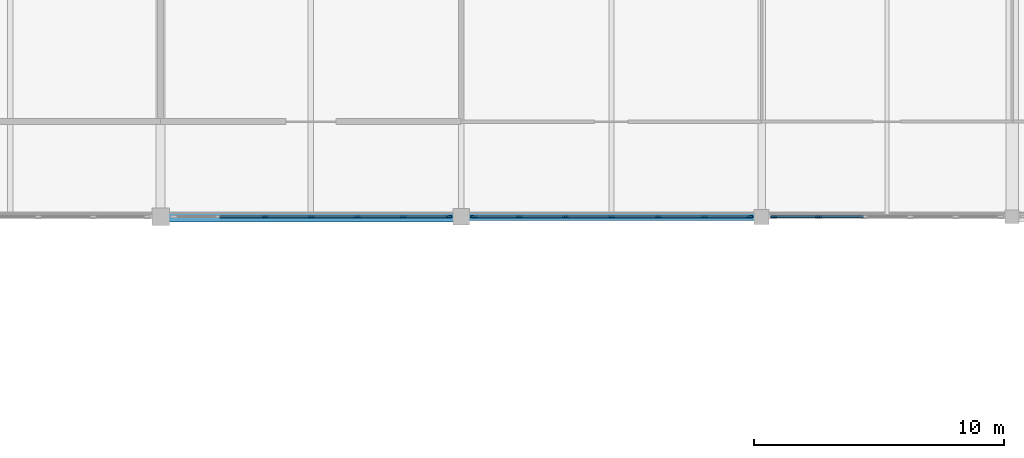
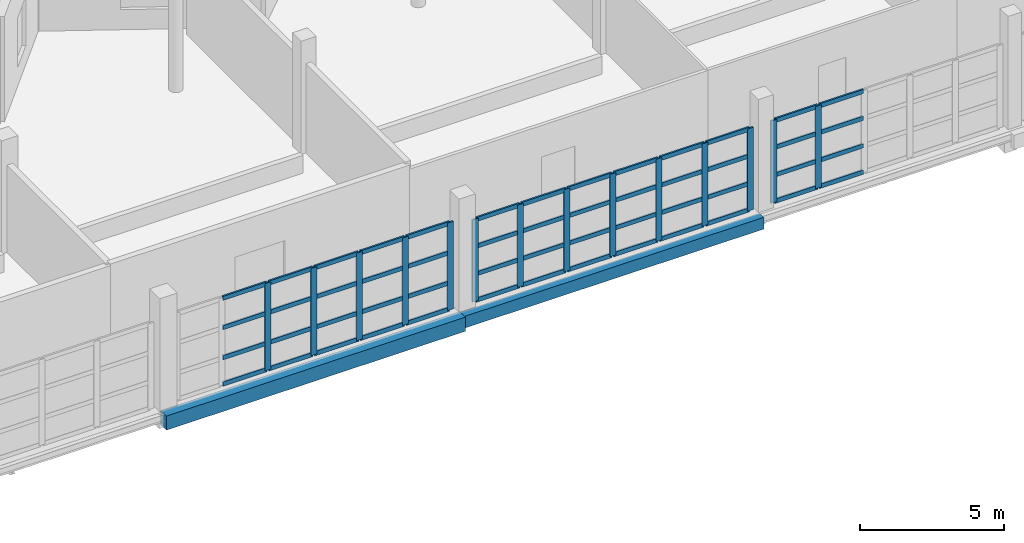
# One storey, part 23 of 53: 66 members, 2 beams, 3 elements without a shape of their own.
"""IFC4 building model written with IfcOpenShell, lengths in metres."""

import ifcopenshell
import ifcopenshell.guid

model = None  # the IFC model being written
_history = None  # IfcOwnerHistory: only IFC2X3 demands one
_inside = {}  # id of a spatial element -> (the spatial element, [elements in it])
_under = {}  # id of a project, library or spatial element -> (it, [spatial elements below it])
_declared = {}  # id of a project -> (the project, [libraries it declares])
_typed = {}  # id of a type object -> (the type object, [elements of that type])
_made_of = {}  # id of a material, layer set ... -> (it, [elements and type objects made of it])


def new_model(schema):
    """Start an empty IFC model of exactly this schema.

    Asked for "IFC4X3", IfcOpenShell would pick the latest addendum, in which some entities
    have other attributes; the version numbers below select the first issue.
    IFC2X3 requires an IfcOwnerHistory on every rooted entity: one is made here for all.
    """
    global model, _history
    if schema == "IFC4X3":
        model = ifcopenshell.file(schema_version=(4, 3, 0, 0))
    else:
        model = ifcopenshell.file(schema=schema)
    _inside.clear()
    _under.clear()
    _declared.clear()
    _typed.clear()
    _made_of.clear()
    _history = None
    if model.schema == "IFC2X3":
        org = make("IfcOrganization", Name="unknown")
        user = make(
            "IfcPersonAndOrganization",
            ThePerson=make("IfcPerson", FamilyName="unknown"),
            TheOrganization=org,
        )
        app = make(
            "IfcApplication",
            ApplicationDeveloper=org,
            Version="unknown",
            ApplicationFullName="unknown",
            ApplicationIdentifier="unknown",
        )
        _history = make(
            "IfcOwnerHistory",
            OwningUser=user,
            OwningApplication=app,
            ChangeAction="ADDED",
            CreationDate=0,
        )
    return model


def make(cls, **values):
    """One entity of the class cls with the attributes given. An attribute that is None is left unset."""
    return model.create_entity(
        cls, **{name: value for name, value in values.items() if value is not None}
    )


def rooted(cls, **values):
    """An entity with a GlobalId (a new one), such as an element, a storey or a relation."""
    return make(cls, GlobalId=ifcopenshell.guid.new(), OwnerHistory=_history, **values)


def si_unit(unit_type, name, prefix=None):
    """IfcSIUnit, for example si_unit("LENGTHUNIT", "METRE", prefix="MILLI")."""
    return make("IfcSIUnit", UnitType=unit_type, Prefix=prefix, Name=name)


def assignment(units):
    """IfcUnitAssignment: the units of a project."""
    return None if units is None else make("IfcUnitAssignment", Units=units)


def point(xyz):
    """IfcCartesianPoint."""
    return None if xyz is None else make("IfcCartesianPoint", Coordinates=xyz)


def direction(xyz):
    """IfcDirection."""
    return None if xyz is None else make("IfcDirection", DirectionRatios=xyz)


def frame(location, z_axis=None, x_axis=None):
    """IfcAxis2Placement3D, a coordinate frame: its origin and axes. An axis left out is left unset."""
    return make(
        "IfcAxis2Placement3D",
        Location=point(location),
        Axis=direction(z_axis),
        RefDirection=direction(x_axis),
    )


def frame_2d(location, x_axis=None):
    """IfcAxis2Placement2D, a coordinate frame in the plane: its origin and x axis."""
    return make(
        "IfcAxis2Placement2D", Location=point(location), RefDirection=direction(x_axis)
    )


def origin():
    """The frame at (0, 0, 0) with its axes left unset."""
    return frame((0.0, 0.0, 0.0))


def origin_2d():
    """The frame at (0, 0) in the plane with its x axis left unset."""
    return frame_2d((0.0, 0.0))


def place(relative_to, where):
    """IfcLocalPlacement: puts the frame where relative to a parent placement (None: the world)."""
    return make(
        "IfcLocalPlacement", PlacementRelTo=relative_to, RelativePlacement=where
    )


def context(
    kind, dimensions, precision=None, world=None, true_north=None, identifier=None
):
    """IfcGeometricRepresentationContext, for example the 3D "Model" context."""
    return make(
        "IfcGeometricRepresentationContext",
        ContextIdentifier=identifier,
        ContextType=kind,
        CoordinateSpaceDimension=dimensions,
        Precision=precision,
        WorldCoordinateSystem=world,
        TrueNorth=true_north,
    )


def subcontext(parent, identifier, kind, view, scale=None):
    """IfcGeometricRepresentationSubContext, for example "Body" below "Model"."""
    return make(
        "IfcGeometricRepresentationSubContext",
        ContextIdentifier=identifier,
        ContextType=kind,
        ParentContext=parent,
        TargetScale=scale,
        TargetView=view,
    )


def project(units=None, contexts=None):
    """IfcProject with its units and contexts."""
    return rooted(
        "IfcProject",
        Name="project",
        RepresentationContexts=contexts,
        UnitsInContext=assignment(units),
    )


def spatial(cls, under=None, at=None, **own):
    """A site, building, storey or space (cls), placed at a placement, below another one or the project."""
    s = rooted(cls, ObjectPlacement=at, **own)
    if under is not None:
        _under.setdefault(under.id(), (under, []))[1].append(s)
    return s


def profile(cls, at=None, kind="AREA", **sizes):
    """A parametric profile (cls). Its sizes go by their IFC names, for example OverallWidth=200.0."""
    return make(cls, ProfileType=kind, Position=at, **sizes)


def rectangle(**sizes):
    """IfcRectangleProfileDef."""
    return profile("IfcRectangleProfileDef", **sizes)


def hollow_rectangle(**sizes):
    """IfcRectangleHollowProfileDef."""
    return profile("IfcRectangleHollowProfileDef", **sizes)


def extrude(swept, where, along, depth):
    """IfcExtrudedAreaSolid: the profile swept, set in the frame where, extruded along a direction by depth."""
    return make(
        "IfcExtrudedAreaSolid",
        SweptArea=swept,
        Position=where,
        ExtrudedDirection=direction(along),
        Depth=depth,
    )


def shape(context_of_items, identifier, shape_type, items):
    """IfcShapeRepresentation: the items that make up one representation, for example the "Body"."""
    return make(
        "IfcShapeRepresentation",
        ContextOfItems=context_of_items,
        RepresentationIdentifier=identifier,
        RepresentationType=shape_type,
        Items=items,
    )


def material(Name=None, Category=None):
    """IfcMaterial."""
    return make("IfcMaterial", Name=Name, Category=Category)


def material_profile(
    of_material, cross_section, Name=None, Category=None, Priority=None
):
    """IfcMaterialProfile: a cross section and its material."""
    return make(
        "IfcMaterialProfile",
        Name=Name,
        Material=of_material,
        Profile=cross_section,
        Priority=Priority,
        Category=Category,
    )


def profile_set(profiles, Name=None, composite=None):
    """IfcMaterialProfileSet."""
    return make(
        "IfcMaterialProfileSet",
        Name=Name,
        MaterialProfiles=profiles,
        CompositeProfile=composite,
    )


def made_of(thing, what):
    """Note that an element or type object is made of a material, layer set ...; save() writes the relation."""
    if what is not None:
        _made_of.setdefault(what.id(), (what, []))[1].append(thing)
    return thing


def type_object(cls, material=None, **own):
    """A type object (cls), such as IfcWallType, which elements share."""
    return made_of(rooted(cls, **own), material)


def element(
    cls,
    number,
    at=None,
    inside=None,
    cuts=None,
    type_object=None,
    material=None,
    context=None,
    identifier="Body",
    shape_type=None,
    held_by="IfcProductDefinitionShape",
    body=None,
    shapes=None,
    **own,
):
    """One element of the class cls, such as IfcWall. Its Tag is "e" and its number.

    at: its placement. inside: the storey or other place that contains it. cuts: it is an
    opening in that element (IfcRelVoidsElement). A single representation is given by context,
    identifier, shape_type and body (its items); several are given by shapes. held_by: the class
    of the entity that holds the representations. save() writes the other relations.
    """
    e = rooted(cls, Tag="e%d" % number, ObjectPlacement=at, **own)
    if body is not None:
        shapes = [shape(context, identifier, shape_type, body)]
    if shapes is not None:
        e.Representation = make(held_by, Representations=shapes)
    if inside is not None:
        _inside.setdefault(inside.id(), (inside, []))[1].append(e)
    if cuts is not None:
        rooted(
            "IfcRelVoidsElement", RelatingBuildingElement=cuts, RelatedOpeningElement=e
        )
    if type_object is not None:
        _typed.setdefault(type_object.id(), (type_object, []))[1].append(e)
    return made_of(e, material)


def aggregate(whole, parts):
    """IfcRelAggregates: a whole, such as a stair, and the parts it consists of."""
    return rooted("IfcRelAggregates", RelatingObject=whole, RelatedObjects=parts)


def save(model, path):
    """Write the relations noted so far, then the file.

    IfcRelAggregates (storeys below a building ...), IfcRelContainedInSpatialStructure (elements
    in a storey), IfcRelDefinesByType, IfcRelAssociatesMaterial and IfcRelDeclares: one each for
    every whole, place, type object, material and project.
    """
    for whole, parts in _under.values():
        aggregate(whole, parts)
    for where, things in _inside.values():
        rooted(
            "IfcRelContainedInSpatialStructure",
            RelatedElements=things,
            RelatingStructure=where,
        )
    for kind, things in _typed.values():
        rooted("IfcRelDefinesByType", RelatedObjects=things, RelatingType=kind)
    for what, things in _made_of.values():
        rooted("IfcRelAssociatesMaterial", RelatedObjects=things, RelatingMaterial=what)
    for by, libraries in _declared.values():
        rooted("IfcRelDeclares", RelatingContext=by, RelatedDefinitions=libraries)
    model.write(path)


model = new_model("IFC4")

# Units and contexts
model_context = context("Model", 3, precision=1e-05, world=origin(), true_north=direction((0.0, 1.0)))
body_context = subcontext(model_context, "Body", "Model", "MODEL_VIEW")
ifc_project = project(units=[si_unit("LENGTHUNIT", "METRE"), si_unit("AREAUNIT", "SQUARE_METRE"), si_unit("VOLUMEUNIT", "CUBIC_METRE"), si_unit("PLANEANGLEUNIT", "RADIAN"), si_unit("MASSUNIT", "GRAM", prefix="KILO")], contexts=[model_context])

# Site, building, storey
site_placement = place(None, origin())
site = spatial("IfcSite", under=ifc_project, at=site_placement, CompositionType="ELEMENT")
building_placement = place(site_placement, origin())
building = spatial("IfcBuilding", under=site, at=building_placement, Name="Luwafu Chhajja Arena", CompositionType="ELEMENT")
storey_placement = place(building_placement, frame((0.0, 0.0, 19.5)))
storey = spatial("IfcBuildingStorey", under=building, at=storey_placement, Name="L04", CompositionType="ELEMENT", Elevation=19.5)

# Curtain wall, members
ifc_material_1 = material(Name="Anodised bronze aluminium", Category="aluminium")
curtain_wall_type = type_object("IfcCurtainWallType", Name="Media Ribbon Curtain Wall", PredefinedType="USERDEFINED", material=ifc_material_1)
curtain_wall_1_placement = place(storey_placement, origin())
curtain_wall_1 = element("IfcCurtainWall", 1, at=curtain_wall_1_placement, inside=storey, type_object=curtain_wall_type, Name="L04 Bowl Viewing Curtain Wall CWR-L04-09", ObjectType="CURTAIN WALL", PredefinedType="USERDEFINED")
ifc_material_profile_1 = material_profile(ifc_material_1, rectangle(XDim=0.070068359375, YDim=0.239990234375, at=origin_2d()), Name="CWM 70x240")
ifc_profile_set_1 = profile_set([ifc_material_profile_1], Name="Anodised bronze aluminium")
member_type_1 = type_object("IfcMemberType", Name="Bronze Curtain Wall Mullion 70x240", PredefinedType="MULLION", material=ifc_profile_set_1)
member_1_placement = place(storey_placement, frame((74.171630859375, 77.0, 0.0), z_axis=(0.0, 0.0, 1.0), x_axis=(0.0, 1.0, 0.0)))
member_1 = element("IfcMember", 2, at=member_1_placement, type_object=member_type_1, Name="CW-03 mullion 3", PredefinedType="MULLION", context=body_context, shape_type="SweptSolid", body=[
    extrude(rectangle(XDim=0.070068359375, YDim=0.239990234375, at=origin_2d()), origin(), (0.0, 0.0, 1.0), 3.70654296875),
])
member_2_placement = place(storey_placement, frame((76.012451171875, 77.0, 0.0), z_axis=(0.0, 0.0, 1.0), x_axis=(0.0, 1.0, 0.0)))
member_2 = element("IfcMember", 3, at=member_2_placement, type_object=member_type_1, Name="CW-03 mullion 4", PredefinedType="MULLION", context=body_context, shape_type="SweptSolid", body=[
    extrude(rectangle(XDim=0.070068359375, YDim=0.239990234375, at=origin_2d()), origin(), (0.0, 0.0, 1.0), 3.70654296875),
])
member_3_placement = place(storey_placement, frame((77.853271484375, 77.0, 0.0), z_axis=(0.0, 0.0, 1.0), x_axis=(0.0, 1.0, 0.0)))
member_3 = element("IfcMember", 4, at=member_3_placement, type_object=member_type_1, Name="CW-03 mullion 5", PredefinedType="MULLION", context=body_context, shape_type="SweptSolid", body=[
    extrude(rectangle(XDim=0.070068359375, YDim=0.239990234375, at=origin_2d()), origin(), (0.0, 0.0, 1.0), 3.70654296875),
])
member_4_placement = place(storey_placement, frame((79.694091796875, 77.0, 0.0), z_axis=(0.0, 0.0, 1.0), x_axis=(0.0, 1.0, 0.0)))
member_4 = element("IfcMember", 5, at=member_4_placement, type_object=member_type_1, Name="CW-03 mullion 6", PredefinedType="MULLION", context=body_context, shape_type="SweptSolid", body=[
    extrude(rectangle(XDim=0.070068359375, YDim=0.239990234375, at=origin_2d()), origin(), (0.0, 0.0, 1.0), 3.70654296875),
])
member_5_placement = place(storey_placement, frame((81.5, 77.0, 0.0), z_axis=(0.0, 0.0, 1.0), x_axis=(0.0, 1.0, 0.0)))
member_5 = element("IfcMember", 6, at=member_5_placement, type_object=member_type_1, Name="CW-03 mullion 7", PredefinedType="MULLION", context=body_context, shape_type="SweptSolid", body=[
    extrude(rectangle(XDim=0.070068359375, YDim=0.239990234375, at=origin_2d()), origin(), (0.0, 0.0, 1.0), 3.70654296875),
])

curtain_wall_2_placement = place(storey_placement, origin())
curtain_wall_2 = element("IfcCurtainWall", 7, at=curtain_wall_2_placement, inside=storey, type_object=curtain_wall_type, Name="L04 Bowl Viewing Curtain Wall CWR-L04-10", ObjectType="CURTAIN WALL", PredefinedType="USERDEFINED")
member_6_placement = place(storey_placement, frame((82.5, 77.0, 0.0), z_axis=(0.0, 0.0, 1.0), x_axis=(0.0, 1.0, 0.0)))
member_6 = element("IfcMember", 8, at=member_6_placement, type_object=member_type_1, Name="CW-03 mullion 1", PredefinedType="MULLION", context=body_context, shape_type="SweptSolid", body=[
    extrude(rectangle(XDim=0.070068359375, YDim=0.239990234375, at=origin_2d()), origin(), (0.0, 0.0, 1.0), 3.489990234375),
])
member_7_placement = place(storey_placement, frame((84.314208984375, 77.0, 0.0), z_axis=(0.0, 0.0, 1.0), x_axis=(0.0, 1.0, 0.0)))
member_7 = element("IfcMember", 9, at=member_7_placement, type_object=member_type_1, Name="CW-03 mullion 2", PredefinedType="MULLION", context=body_context, shape_type="SweptSolid", body=[
    extrude(rectangle(XDim=0.070068359375, YDim=0.239990234375, at=origin_2d()), origin(), (0.0, 0.0, 1.0), 3.489990234375),
])
member_8_placement = place(storey_placement, frame((86.163330078125, 77.0, 0.0), z_axis=(0.0, 0.0, 1.0), x_axis=(0.0, 1.0, 0.0)))
member_8 = element("IfcMember", 10, at=member_8_placement, type_object=member_type_1, Name="CW-03 mullion 3", PredefinedType="MULLION", context=body_context, shape_type="SweptSolid", body=[
    extrude(rectangle(XDim=0.070068359375, YDim=0.239990234375, at=origin_2d()), origin(), (0.0, 0.0, 1.0), 3.489990234375),
])
member_9_placement = place(storey_placement, frame((88.012451171875, 77.0, 0.0), z_axis=(0.0, 0.0, 1.0), x_axis=(0.0, 1.0, 0.0)))
member_9 = element("IfcMember", 11, at=member_9_placement, type_object=member_type_1, Name="CW-03 mullion 4", PredefinedType="MULLION", context=body_context, shape_type="SweptSolid", body=[
    extrude(rectangle(XDim=0.070068359375, YDim=0.239990234375, at=origin_2d()), origin(), (0.0, 0.0, 1.0), 3.489990234375),
])
member_10_placement = place(storey_placement, frame((89.861572265625, 77.0, 0.0), z_axis=(0.0, 0.0, 1.0), x_axis=(0.0, 1.0, 0.0)))
member_10 = element("IfcMember", 12, at=member_10_placement, type_object=member_type_1, Name="CW-03 mullion 5", PredefinedType="MULLION", context=body_context, shape_type="SweptSolid", body=[
    extrude(rectangle(XDim=0.070068359375, YDim=0.239990234375, at=origin_2d()), origin(), (0.0, 0.0, 1.0), 3.489990234375),
])
member_11_placement = place(storey_placement, frame((91.7109375, 77.0, 0.0), z_axis=(0.0, 0.0, 1.0), x_axis=(0.0, 1.0, 0.0)))
member_11 = element("IfcMember", 13, at=member_11_placement, type_object=member_type_1, Name="CW-03 mullion 6", PredefinedType="MULLION", context=body_context, shape_type="SweptSolid", body=[
    extrude(rectangle(XDim=0.070068359375, YDim=0.239990234375, at=origin_2d()), origin(), (0.0, 0.0, 1.0), 3.489990234375),
])
member_12_placement = place(storey_placement, frame((93.52490234375, 77.0, 0.0), z_axis=(0.0, 0.0, 1.0), x_axis=(0.0, 1.0, 0.0)))
member_12 = element("IfcMember", 14, at=member_12_placement, type_object=member_type_1, Name="CW-03 mullion 7", PredefinedType="MULLION", context=body_context, shape_type="SweptSolid", body=[
    extrude(rectangle(XDim=0.070068359375, YDim=0.239990234375, at=origin_2d()), origin(), (0.0, 0.0, 1.0), 3.489990234375),
])

curtain_wall_3_placement = place(storey_placement, origin())
curtain_wall_3 = element("IfcCurtainWall", 15, at=curtain_wall_3_placement, inside=storey, type_object=curtain_wall_type, Name="L04 Bowl Viewing Curtain Wall CWR-L04-11", ObjectType="CURTAIN WALL", PredefinedType="USERDEFINED")
member_13_placement = place(storey_placement, frame((94.47509765625, 77.0, 0.0), z_axis=(0.0, 0.0, 1.0), x_axis=(0.0, 1.0, 0.0)))
member_13 = element("IfcMember", 16, at=member_13_placement, type_object=member_type_1, Name="CW-03 mullion 1", PredefinedType="MULLION", context=body_context, shape_type="SweptSolid", body=[
    extrude(rectangle(XDim=0.070068359375, YDim=0.239990234375, at=origin_2d()), origin(), (0.0, 0.0, 1.0), 3.489990234375),
])
member_14_placement = place(storey_placement, frame((96.26904296875, 77.0, 0.0), z_axis=(0.0, 0.0, 1.0), x_axis=(0.0, 1.0, 0.0)))
member_14 = element("IfcMember", 17, at=member_14_placement, type_object=member_type_1, Name="CW-03 mullion 2", PredefinedType="MULLION", context=body_context, shape_type="SweptSolid", body=[
    extrude(rectangle(XDim=0.070068359375, YDim=0.239990234375, at=origin_2d()), origin(), (0.0, 0.0, 1.0), 3.489990234375),
])

# Member
ifc_material_profile_2 = material_profile(ifc_material_1, rectangle(XDim=0.070068359375, YDim=0.179931640625, at=origin_2d()), Name="CWT 70x180")
ifc_profile_set_2 = profile_set([ifc_material_profile_2], Name="Anodised bronze aluminium")
member_type_2 = type_object("IfcMemberType", Name="Bronze Curtain Wall Transom 70x180", PredefinedType="USERDEFINED", material=ifc_profile_set_2)
member_15_placement = place(storey_placement, frame((72.36572265625, 77.0, 0.034912109375), z_axis=(1.0, 0.0, 0.0), x_axis=(0.0, 1.0, 0.0)))
member_15 = element("IfcMember", 18, at=member_15_placement, type_object=member_type_2, Name="CW-03 transom 2.1", ObjectType="TRANSOM", PredefinedType="USERDEFINED", context=body_context, shape_type="SweptSolid", body=[
    extrude(rectangle(XDim=0.070068359375, YDim=0.179931640625, at=origin_2d()), origin(), (0.0, 0.0, 1.0), 1.77099609375),
])

member_16_placement = place(storey_placement, frame((72.36572265625, 77.0, 1.14990234375), z_axis=(1.0, 0.0, 0.0), x_axis=(0.0, 1.0, 0.0)))
member_16 = element("IfcMember", 19, at=member_16_placement, type_object=member_type_2, Name="CW-03 transom 2.2", ObjectType="TRANSOM", PredefinedType="USERDEFINED", context=body_context, shape_type="SweptSolid", body=[
    extrude(rectangle(XDim=0.070068359375, YDim=0.179931640625, at=origin_2d()), origin(), (0.0, 0.0, 1.0), 1.77099609375),
])

member_17_placement = place(storey_placement, frame((72.36572265625, 77.0, 2.42822265625), z_axis=(1.0, 0.0, 0.0), x_axis=(0.0, 1.0, 0.0)))
member_17 = element("IfcMember", 20, at=member_17_placement, type_object=member_type_2, Name="CW-03 transom 2.3", ObjectType="TRANSOM", PredefinedType="USERDEFINED", context=body_context, shape_type="SweptSolid", body=[
    extrude(rectangle(XDim=0.070068359375, YDim=0.179931640625, at=origin_2d()), origin(), (0.0, 0.0, 1.0), 1.77099609375),
])

member_18_placement = place(storey_placement, frame((72.36572265625, 77.0, 3.67138671875), z_axis=(1.0, 0.0, 0.0), x_axis=(0.0, 1.0, 0.0)))
member_18 = element("IfcMember", 21, at=member_18_placement, type_object=member_type_2, Name="CW-03 transom 2.4", ObjectType="TRANSOM", PredefinedType="USERDEFINED", context=body_context, shape_type="SweptSolid", body=[
    extrude(rectangle(XDim=0.070068359375, YDim=0.179931640625, at=origin_2d()), origin(), (0.0, 0.0, 1.0), 1.77099609375),
])

member_19_placement = place(storey_placement, frame((74.206787109375, 77.0, 0.034912109375), z_axis=(1.0, 0.0, 0.0), x_axis=(0.0, 1.0, 0.0)))
member_19 = element("IfcMember", 22, at=member_19_placement, type_object=member_type_2, Name="CW-03 transom 3.1", ObjectType="TRANSOM", PredefinedType="USERDEFINED", context=body_context, shape_type="SweptSolid", body=[
    extrude(rectangle(XDim=0.070068359375, YDim=0.179931640625, at=origin_2d()), origin(), (0.0, 0.0, 1.0), 1.770751953125),
])

member_20_placement = place(storey_placement, frame((74.206787109375, 77.0, 1.14990234375), z_axis=(1.0, 0.0, 0.0), x_axis=(0.0, 1.0, 0.0)))
member_20 = element("IfcMember", 23, at=member_20_placement, type_object=member_type_2, Name="CW-03 transom 3.2", ObjectType="TRANSOM", PredefinedType="USERDEFINED", context=body_context, shape_type="SweptSolid", body=[
    extrude(rectangle(XDim=0.070068359375, YDim=0.179931640625, at=origin_2d()), origin(), (0.0, 0.0, 1.0), 1.770751953125),
])

member_21_placement = place(storey_placement, frame((74.206787109375, 77.0, 2.42822265625), z_axis=(1.0, 0.0, 0.0), x_axis=(0.0, 1.0, 0.0)))
member_21 = element("IfcMember", 24, at=member_21_placement, type_object=member_type_2, Name="CW-03 transom 3.3", ObjectType="TRANSOM", PredefinedType="USERDEFINED", context=body_context, shape_type="SweptSolid", body=[
    extrude(rectangle(XDim=0.070068359375, YDim=0.179931640625, at=origin_2d()), origin(), (0.0, 0.0, 1.0), 1.770751953125),
])

member_22_placement = place(storey_placement, frame((74.206787109375, 77.0, 3.67138671875), z_axis=(1.0, 0.0, 0.0), x_axis=(0.0, 1.0, 0.0)))
member_22 = element("IfcMember", 25, at=member_22_placement, type_object=member_type_2, Name="CW-03 transom 3.4", ObjectType="TRANSOM", PredefinedType="USERDEFINED", context=body_context, shape_type="SweptSolid", body=[
    extrude(rectangle(XDim=0.070068359375, YDim=0.179931640625, at=origin_2d()), origin(), (0.0, 0.0, 1.0), 1.770751953125),
])

member_23_placement = place(storey_placement, frame((76.047607421875, 77.0, 0.034912109375), z_axis=(1.0, 0.0, 0.0), x_axis=(0.0, 1.0, 0.0)))
member_23 = element("IfcMember", 26, at=member_23_placement, type_object=member_type_2, Name="CW-03 transom 4.1", ObjectType="TRANSOM", PredefinedType="USERDEFINED", context=body_context, shape_type="SweptSolid", body=[
    extrude(rectangle(XDim=0.070068359375, YDim=0.179931640625, at=origin_2d()), origin(), (0.0, 0.0, 1.0), 1.770751953125),
])

member_24_placement = place(storey_placement, frame((76.047607421875, 77.0, 1.14990234375), z_axis=(1.0, 0.0, 0.0), x_axis=(0.0, 1.0, 0.0)))
member_24 = element("IfcMember", 27, at=member_24_placement, type_object=member_type_2, Name="CW-03 transom 4.2", ObjectType="TRANSOM", PredefinedType="USERDEFINED", context=body_context, shape_type="SweptSolid", body=[
    extrude(rectangle(XDim=0.070068359375, YDim=0.179931640625, at=origin_2d()), origin(), (0.0, 0.0, 1.0), 1.770751953125),
])

member_25_placement = place(storey_placement, frame((76.047607421875, 77.0, 2.42822265625), z_axis=(1.0, 0.0, 0.0), x_axis=(0.0, 1.0, 0.0)))
member_25 = element("IfcMember", 28, at=member_25_placement, type_object=member_type_2, Name="CW-03 transom 4.3", ObjectType="TRANSOM", PredefinedType="USERDEFINED", context=body_context, shape_type="SweptSolid", body=[
    extrude(rectangle(XDim=0.070068359375, YDim=0.179931640625, at=origin_2d()), origin(), (0.0, 0.0, 1.0), 1.770751953125),
])

member_26_placement = place(storey_placement, frame((76.047607421875, 77.0, 3.67138671875), z_axis=(1.0, 0.0, 0.0), x_axis=(0.0, 1.0, 0.0)))
member_26 = element("IfcMember", 29, at=member_26_placement, type_object=member_type_2, Name="CW-03 transom 4.4", ObjectType="TRANSOM", PredefinedType="USERDEFINED", context=body_context, shape_type="SweptSolid", body=[
    extrude(rectangle(XDim=0.070068359375, YDim=0.179931640625, at=origin_2d()), origin(), (0.0, 0.0, 1.0), 1.770751953125),
])

member_27_placement = place(storey_placement, frame((77.888427734375, 77.0, 0.034912109375), z_axis=(1.0, 0.0, 0.0), x_axis=(0.0, 1.0, 0.0)))
member_27 = element("IfcMember", 30, at=member_27_placement, type_object=member_type_2, Name="CW-03 transom 5.1", ObjectType="TRANSOM", PredefinedType="USERDEFINED", context=body_context, shape_type="SweptSolid", body=[
    extrude(rectangle(XDim=0.070068359375, YDim=0.179931640625, at=origin_2d()), origin(), (0.0, 0.0, 1.0), 1.770751953125),
])

member_28_placement = place(storey_placement, frame((77.888427734375, 77.0, 1.14990234375), z_axis=(1.0, 0.0, 0.0), x_axis=(0.0, 1.0, 0.0)))
member_28 = element("IfcMember", 31, at=member_28_placement, type_object=member_type_2, Name="CW-03 transom 5.2", ObjectType="TRANSOM", PredefinedType="USERDEFINED", context=body_context, shape_type="SweptSolid", body=[
    extrude(rectangle(XDim=0.070068359375, YDim=0.179931640625, at=origin_2d()), origin(), (0.0, 0.0, 1.0), 1.770751953125),
])

member_29_placement = place(storey_placement, frame((77.888427734375, 77.0, 2.42822265625), z_axis=(1.0, 0.0, 0.0), x_axis=(0.0, 1.0, 0.0)))
member_29 = element("IfcMember", 32, at=member_29_placement, type_object=member_type_2, Name="CW-03 transom 5.3", ObjectType="TRANSOM", PredefinedType="USERDEFINED", context=body_context, shape_type="SweptSolid", body=[
    extrude(rectangle(XDim=0.070068359375, YDim=0.179931640625, at=origin_2d()), origin(), (0.0, 0.0, 1.0), 1.770751953125),
])

member_30_placement = place(storey_placement, frame((77.888427734375, 77.0, 3.67138671875), z_axis=(1.0, 0.0, 0.0), x_axis=(0.0, 1.0, 0.0)))
member_30 = element("IfcMember", 33, at=member_30_placement, type_object=member_type_2, Name="CW-03 transom 5.4", ObjectType="TRANSOM", PredefinedType="USERDEFINED", context=body_context, shape_type="SweptSolid", body=[
    extrude(rectangle(XDim=0.070068359375, YDim=0.179931640625, at=origin_2d()), origin(), (0.0, 0.0, 1.0), 1.770751953125),
])

member_31_placement = place(storey_placement, frame((79.729248046875, 77.0, 0.034912109375), z_axis=(1.0, 0.0, 0.0), x_axis=(0.0, 1.0, 0.0)))
member_31 = element("IfcMember", 34, at=member_31_placement, type_object=member_type_2, Name="CW-03 transom 6.1", ObjectType="TRANSOM", PredefinedType="USERDEFINED", context=body_context, shape_type="SweptSolid", body=[
    extrude(rectangle(XDim=0.070068359375, YDim=0.179931640625, at=origin_2d()), origin(), (0.0, 0.0, 1.0), 1.73583984375),
])

member_32_placement = place(storey_placement, frame((79.729248046875, 77.0, 1.14990234375), z_axis=(1.0, 0.0, 0.0), x_axis=(0.0, 1.0, 0.0)))
member_32 = element("IfcMember", 35, at=member_32_placement, type_object=member_type_2, Name="CW-03 transom 6.2", ObjectType="TRANSOM", PredefinedType="USERDEFINED", context=body_context, shape_type="SweptSolid", body=[
    extrude(rectangle(XDim=0.070068359375, YDim=0.179931640625, at=origin_2d()), origin(), (0.0, 0.0, 1.0), 1.73583984375),
])

member_33_placement = place(storey_placement, frame((79.729248046875, 77.0, 2.42822265625), z_axis=(1.0, 0.0, 0.0), x_axis=(0.0, 1.0, 0.0)))
member_33 = element("IfcMember", 36, at=member_33_placement, type_object=member_type_2, Name="CW-03 transom 6.3", ObjectType="TRANSOM", PredefinedType="USERDEFINED", context=body_context, shape_type="SweptSolid", body=[
    extrude(rectangle(XDim=0.070068359375, YDim=0.179931640625, at=origin_2d()), origin(), (0.0, 0.0, 1.0), 1.73583984375),
])

member_34_placement = place(storey_placement, frame((79.729248046875, 77.0, 3.67138671875), z_axis=(1.0, 0.0, 0.0), x_axis=(0.0, 1.0, 0.0)))
member_34 = element("IfcMember", 37, at=member_34_placement, type_object=member_type_2, Name="CW-03 transom 6.4", ObjectType="TRANSOM", PredefinedType="USERDEFINED", context=body_context, shape_type="SweptSolid", body=[
    extrude(rectangle(XDim=0.070068359375, YDim=0.179931640625, at=origin_2d()), origin(), (0.0, 0.0, 1.0), 1.73583984375),
])

aggregate(curtain_wall_1, [member_1, member_2, member_3, member_4, member_5, member_15, member_16, member_17, member_18, member_19, member_20, member_21, member_22, member_23, member_24, member_25, member_26, member_27, member_28, member_29, member_30, member_31, member_32, member_33, member_34])

member_35_placement = place(storey_placement, frame((82.534912109375, 77.0, 0.034912109375), z_axis=(1.0, 0.0, 0.0), x_axis=(0.0, 1.0, 0.0)))
member_35 = element("IfcMember", 38, at=member_35_placement, type_object=member_type_2, Name="CW-03 transom 1.1", ObjectType="TRANSOM", PredefinedType="USERDEFINED", context=body_context, shape_type="SweptSolid", body=[
    extrude(rectangle(XDim=0.070068359375, YDim=0.179931640625, at=origin_2d()), origin(), (0.0, 0.0, 1.0), 1.744140625),
])

member_36_placement = place(storey_placement, frame((82.534912109375, 77.0, 1.14990234375), z_axis=(1.0, 0.0, 0.0), x_axis=(0.0, 1.0, 0.0)))
member_36 = element("IfcMember", 39, at=member_36_placement, type_object=member_type_2, Name="CW-03 transom 1.2", ObjectType="TRANSOM", PredefinedType="USERDEFINED", context=body_context, shape_type="SweptSolid", body=[
    extrude(rectangle(XDim=0.070068359375, YDim=0.179931640625, at=origin_2d()), origin(), (0.0, 0.0, 1.0), 1.744140625),
])

member_37_placement = place(storey_placement, frame((82.534912109375, 77.0, 2.320068359375), z_axis=(1.0, 0.0, 0.0), x_axis=(0.0, 1.0, 0.0)))
member_37 = element("IfcMember", 40, at=member_37_placement, type_object=member_type_2, Name="CW-03 transom 1.3", ObjectType="TRANSOM", PredefinedType="USERDEFINED", context=body_context, shape_type="SweptSolid", body=[
    extrude(rectangle(XDim=0.070068359375, YDim=0.179931640625, at=origin_2d()), origin(), (0.0, 0.0, 1.0), 1.744140625),
])

member_38_placement = place(storey_placement, frame((82.534912109375, 77.0, 3.455078125), z_axis=(1.0, 0.0, 0.0), x_axis=(0.0, 1.0, 0.0)))
member_38 = element("IfcMember", 41, at=member_38_placement, type_object=member_type_2, Name="CW-03 transom 1.4", ObjectType="TRANSOM", PredefinedType="USERDEFINED", context=body_context, shape_type="SweptSolid", body=[
    extrude(rectangle(XDim=0.070068359375, YDim=0.179931640625, at=origin_2d()), origin(), (0.0, 0.0, 1.0), 1.744140625),
])

member_39_placement = place(storey_placement, frame((84.34912109375, 77.0, 0.034912109375), z_axis=(1.0, 0.0, 0.0), x_axis=(0.0, 1.0, 0.0)))
member_39 = element("IfcMember", 42, at=member_39_placement, type_object=member_type_2, Name="CW-03 transom 2.1", ObjectType="TRANSOM", PredefinedType="USERDEFINED", context=body_context, shape_type="SweptSolid", body=[
    extrude(rectangle(XDim=0.070068359375, YDim=0.179931640625, at=origin_2d()), origin(), (0.0, 0.0, 1.0), 1.779296875),
])

member_40_placement = place(storey_placement, frame((84.34912109375, 77.0, 1.14990234375), z_axis=(1.0, 0.0, 0.0), x_axis=(0.0, 1.0, 0.0)))
member_40 = element("IfcMember", 43, at=member_40_placement, type_object=member_type_2, Name="CW-03 transom 2.2", ObjectType="TRANSOM", PredefinedType="USERDEFINED", context=body_context, shape_type="SweptSolid", body=[
    extrude(rectangle(XDim=0.070068359375, YDim=0.179931640625, at=origin_2d()), origin(), (0.0, 0.0, 1.0), 1.779296875),
])

member_41_placement = place(storey_placement, frame((84.34912109375, 77.0, 2.320068359375), z_axis=(1.0, 0.0, 0.0), x_axis=(0.0, 1.0, 0.0)))
member_41 = element("IfcMember", 44, at=member_41_placement, type_object=member_type_2, Name="CW-03 transom 2.3", ObjectType="TRANSOM", PredefinedType="USERDEFINED", context=body_context, shape_type="SweptSolid", body=[
    extrude(rectangle(XDim=0.070068359375, YDim=0.179931640625, at=origin_2d()), origin(), (0.0, 0.0, 1.0), 1.779296875),
])

member_42_placement = place(storey_placement, frame((84.34912109375, 77.0, 3.455078125), z_axis=(1.0, 0.0, 0.0), x_axis=(0.0, 1.0, 0.0)))
member_42 = element("IfcMember", 45, at=member_42_placement, type_object=member_type_2, Name="CW-03 transom 2.4", ObjectType="TRANSOM", PredefinedType="USERDEFINED", context=body_context, shape_type="SweptSolid", body=[
    extrude(rectangle(XDim=0.070068359375, YDim=0.179931640625, at=origin_2d()), origin(), (0.0, 0.0, 1.0), 1.779296875),
])

member_43_placement = place(storey_placement, frame((86.1982421875, 77.0, 0.034912109375), z_axis=(1.0, 0.0, 0.0), x_axis=(0.0, 1.0, 0.0)))
member_43 = element("IfcMember", 46, at=member_43_placement, type_object=member_type_2, Name="CW-03 transom 3.1", ObjectType="TRANSOM", PredefinedType="USERDEFINED", context=body_context, shape_type="SweptSolid", body=[
    extrude(rectangle(XDim=0.070068359375, YDim=0.179931640625, at=origin_2d()), origin(), (0.0, 0.0, 1.0), 1.779296875),
])

member_44_placement = place(storey_placement, frame((86.1982421875, 77.0, 1.14990234375), z_axis=(1.0, 0.0, 0.0), x_axis=(0.0, 1.0, 0.0)))
member_44 = element("IfcMember", 47, at=member_44_placement, type_object=member_type_2, Name="CW-03 transom 3.2", ObjectType="TRANSOM", PredefinedType="USERDEFINED", context=body_context, shape_type="SweptSolid", body=[
    extrude(rectangle(XDim=0.070068359375, YDim=0.179931640625, at=origin_2d()), origin(), (0.0, 0.0, 1.0), 1.779296875),
])

member_45_placement = place(storey_placement, frame((86.1982421875, 77.0, 2.320068359375), z_axis=(1.0, 0.0, 0.0), x_axis=(0.0, 1.0, 0.0)))
member_45 = element("IfcMember", 48, at=member_45_placement, type_object=member_type_2, Name="CW-03 transom 3.3", ObjectType="TRANSOM", PredefinedType="USERDEFINED", context=body_context, shape_type="SweptSolid", body=[
    extrude(rectangle(XDim=0.070068359375, YDim=0.179931640625, at=origin_2d()), origin(), (0.0, 0.0, 1.0), 1.779296875),
])

member_46_placement = place(storey_placement, frame((86.1982421875, 77.0, 3.455078125), z_axis=(1.0, 0.0, 0.0), x_axis=(0.0, 1.0, 0.0)))
member_46 = element("IfcMember", 49, at=member_46_placement, type_object=member_type_2, Name="CW-03 transom 3.4", ObjectType="TRANSOM", PredefinedType="USERDEFINED", context=body_context, shape_type="SweptSolid", body=[
    extrude(rectangle(XDim=0.070068359375, YDim=0.179931640625, at=origin_2d()), origin(), (0.0, 0.0, 1.0), 1.779296875),
])

member_47_placement = place(storey_placement, frame((88.047607421875, 77.0, 0.034912109375), z_axis=(1.0, 0.0, 0.0), x_axis=(0.0, 1.0, 0.0)))
member_47 = element("IfcMember", 50, at=member_47_placement, type_object=member_type_2, Name="CW-03 transom 4.1", ObjectType="TRANSOM", PredefinedType="USERDEFINED", context=body_context, shape_type="SweptSolid", body=[
    extrude(rectangle(XDim=0.070068359375, YDim=0.179931640625, at=origin_2d()), origin(), (0.0, 0.0, 1.0), 1.779052734375),
])

member_48_placement = place(storey_placement, frame((88.047607421875, 77.0, 1.14990234375), z_axis=(1.0, 0.0, 0.0), x_axis=(0.0, 1.0, 0.0)))
member_48 = element("IfcMember", 51, at=member_48_placement, type_object=member_type_2, Name="CW-03 transom 4.2", ObjectType="TRANSOM", PredefinedType="USERDEFINED", context=body_context, shape_type="SweptSolid", body=[
    extrude(rectangle(XDim=0.070068359375, YDim=0.179931640625, at=origin_2d()), origin(), (0.0, 0.0, 1.0), 1.779052734375),
])

member_49_placement = place(storey_placement, frame((88.047607421875, 77.0, 2.320068359375), z_axis=(1.0, 0.0, 0.0), x_axis=(0.0, 1.0, 0.0)))
member_49 = element("IfcMember", 52, at=member_49_placement, type_object=member_type_2, Name="CW-03 transom 4.3", ObjectType="TRANSOM", PredefinedType="USERDEFINED", context=body_context, shape_type="SweptSolid", body=[
    extrude(rectangle(XDim=0.070068359375, YDim=0.179931640625, at=origin_2d()), origin(), (0.0, 0.0, 1.0), 1.779052734375),
])

member_50_placement = place(storey_placement, frame((88.047607421875, 77.0, 3.455078125), z_axis=(1.0, 0.0, 0.0), x_axis=(0.0, 1.0, 0.0)))
member_50 = element("IfcMember", 53, at=member_50_placement, type_object=member_type_2, Name="CW-03 transom 4.4", ObjectType="TRANSOM", PredefinedType="USERDEFINED", context=body_context, shape_type="SweptSolid", body=[
    extrude(rectangle(XDim=0.070068359375, YDim=0.179931640625, at=origin_2d()), origin(), (0.0, 0.0, 1.0), 1.779052734375),
])

member_51_placement = place(storey_placement, frame((89.896728515625, 77.0, 0.034912109375), z_axis=(1.0, 0.0, 0.0), x_axis=(0.0, 1.0, 0.0)))
member_51 = element("IfcMember", 54, at=member_51_placement, type_object=member_type_2, Name="CW-03 transom 5.1", ObjectType="TRANSOM", PredefinedType="USERDEFINED", context=body_context, shape_type="SweptSolid", body=[
    extrude(rectangle(XDim=0.070068359375, YDim=0.179931640625, at=origin_2d()), origin(), (0.0, 0.0, 1.0), 1.779052734375),
])

member_52_placement = place(storey_placement, frame((89.896728515625, 77.0, 1.14990234375), z_axis=(1.0, 0.0, 0.0), x_axis=(0.0, 1.0, 0.0)))
member_52 = element("IfcMember", 55, at=member_52_placement, type_object=member_type_2, Name="CW-03 transom 5.2", ObjectType="TRANSOM", PredefinedType="USERDEFINED", context=body_context, shape_type="SweptSolid", body=[
    extrude(rectangle(XDim=0.070068359375, YDim=0.179931640625, at=origin_2d()), origin(), (0.0, 0.0, 1.0), 1.779052734375),
])

member_53_placement = place(storey_placement, frame((89.896728515625, 77.0, 2.320068359375), z_axis=(1.0, 0.0, 0.0), x_axis=(0.0, 1.0, 0.0)))
member_53 = element("IfcMember", 56, at=member_53_placement, type_object=member_type_2, Name="CW-03 transom 5.3", ObjectType="TRANSOM", PredefinedType="USERDEFINED", context=body_context, shape_type="SweptSolid", body=[
    extrude(rectangle(XDim=0.070068359375, YDim=0.179931640625, at=origin_2d()), origin(), (0.0, 0.0, 1.0), 1.779052734375),
])

member_54_placement = place(storey_placement, frame((89.896728515625, 77.0, 3.455078125), z_axis=(1.0, 0.0, 0.0), x_axis=(0.0, 1.0, 0.0)))
member_54 = element("IfcMember", 57, at=member_54_placement, type_object=member_type_2, Name="CW-03 transom 5.4", ObjectType="TRANSOM", PredefinedType="USERDEFINED", context=body_context, shape_type="SweptSolid", body=[
    extrude(rectangle(XDim=0.070068359375, YDim=0.179931640625, at=origin_2d()), origin(), (0.0, 0.0, 1.0), 1.779052734375),
])

member_55_placement = place(storey_placement, frame((91.745849609375, 77.0, 0.034912109375), z_axis=(1.0, 0.0, 0.0), x_axis=(0.0, 1.0, 0.0)))
member_55 = element("IfcMember", 58, at=member_55_placement, type_object=member_type_2, Name="CW-03 transom 6.1", ObjectType="TRANSOM", PredefinedType="USERDEFINED", context=body_context, shape_type="SweptSolid", body=[
    extrude(rectangle(XDim=0.070068359375, YDim=0.179931640625, at=origin_2d()), origin(), (0.0, 0.0, 1.0), 1.744140625),
])

member_56_placement = place(storey_placement, frame((91.745849609375, 77.0, 1.14990234375), z_axis=(1.0, 0.0, 0.0), x_axis=(0.0, 1.0, 0.0)))
member_56 = element("IfcMember", 59, at=member_56_placement, type_object=member_type_2, Name="CW-03 transom 6.2", ObjectType="TRANSOM", PredefinedType="USERDEFINED", context=body_context, shape_type="SweptSolid", body=[
    extrude(rectangle(XDim=0.070068359375, YDim=0.179931640625, at=origin_2d()), origin(), (0.0, 0.0, 1.0), 1.744140625),
])

member_57_placement = place(storey_placement, frame((91.745849609375, 77.0, 2.320068359375), z_axis=(1.0, 0.0, 0.0), x_axis=(0.0, 1.0, 0.0)))
member_57 = element("IfcMember", 60, at=member_57_placement, type_object=member_type_2, Name="CW-03 transom 6.3", ObjectType="TRANSOM", PredefinedType="USERDEFINED", context=body_context, shape_type="SweptSolid", body=[
    extrude(rectangle(XDim=0.070068359375, YDim=0.179931640625, at=origin_2d()), origin(), (0.0, 0.0, 1.0), 1.744140625),
])

member_58_placement = place(storey_placement, frame((91.745849609375, 77.0, 3.455078125), z_axis=(1.0, 0.0, 0.0), x_axis=(0.0, 1.0, 0.0)))
member_58 = element("IfcMember", 61, at=member_58_placement, type_object=member_type_2, Name="CW-03 transom 6.4", ObjectType="TRANSOM", PredefinedType="USERDEFINED", context=body_context, shape_type="SweptSolid", body=[
    extrude(rectangle(XDim=0.070068359375, YDim=0.179931640625, at=origin_2d()), origin(), (0.0, 0.0, 1.0), 1.744140625),
])

aggregate(curtain_wall_2, [member_6, member_7, member_8, member_9, member_10, member_11, member_12, member_35, member_36, member_37, member_38, member_39, member_40, member_41, member_42, member_43, member_44, member_45, member_46, member_47, member_48, member_49, member_50, member_51, member_52, member_53, member_54, member_55, member_56, member_57, member_58])

member_59_placement = place(storey_placement, frame((94.510009765625, 77.0, 0.034912109375), z_axis=(1.0, 0.0, 0.0), x_axis=(0.0, 1.0, 0.0)))
member_59 = element("IfcMember", 62, at=member_59_placement, type_object=member_type_2, Name="CW-03 transom 1.1", ObjectType="TRANSOM", PredefinedType="USERDEFINED", context=body_context, shape_type="SweptSolid", body=[
    extrude(rectangle(XDim=0.070068359375, YDim=0.179931640625, at=origin_2d()), origin(), (0.0, 0.0, 1.0), 1.723876953125),
])

member_60_placement = place(storey_placement, frame((94.510009765625, 77.0, 1.14990234375), z_axis=(1.0, 0.0, 0.0), x_axis=(0.0, 1.0, 0.0)))
member_60 = element("IfcMember", 63, at=member_60_placement, type_object=member_type_2, Name="CW-03 transom 1.2", ObjectType="TRANSOM", PredefinedType="USERDEFINED", context=body_context, shape_type="SweptSolid", body=[
    extrude(rectangle(XDim=0.070068359375, YDim=0.179931640625, at=origin_2d()), origin(), (0.0, 0.0, 1.0), 1.723876953125),
])

member_61_placement = place(storey_placement, frame((94.510009765625, 77.0, 2.320068359375), z_axis=(1.0, 0.0, 0.0), x_axis=(0.0, 1.0, 0.0)))
member_61 = element("IfcMember", 64, at=member_61_placement, type_object=member_type_2, Name="CW-03 transom 1.3", ObjectType="TRANSOM", PredefinedType="USERDEFINED", context=body_context, shape_type="SweptSolid", body=[
    extrude(rectangle(XDim=0.070068359375, YDim=0.179931640625, at=origin_2d()), origin(), (0.0, 0.0, 1.0), 1.723876953125),
])

member_62_placement = place(storey_placement, frame((94.510009765625, 77.0, 3.455078125), z_axis=(1.0, 0.0, 0.0), x_axis=(0.0, 1.0, 0.0)))
member_62 = element("IfcMember", 65, at=member_62_placement, type_object=member_type_2, Name="CW-03 transom 1.4", ObjectType="TRANSOM", PredefinedType="USERDEFINED", context=body_context, shape_type="SweptSolid", body=[
    extrude(rectangle(XDim=0.070068359375, YDim=0.179931640625, at=origin_2d()), origin(), (0.0, 0.0, 1.0), 1.723876953125),
])

member_63_placement = place(storey_placement, frame((96.303955078125, 77.0, 0.034912109375), z_axis=(1.0, 0.0, 0.0), x_axis=(0.0, 1.0, 0.0)))
member_63 = element("IfcMember", 66, at=member_63_placement, type_object=member_type_2, Name="CW-03 transom 2.1", ObjectType="TRANSOM", PredefinedType="USERDEFINED", context=body_context, shape_type="SweptSolid", body=[
    extrude(rectangle(XDim=0.070068359375, YDim=0.179931640625, at=origin_2d()), origin(), (0.0, 0.0, 1.0), 1.759033203125),
])

member_64_placement = place(storey_placement, frame((96.303955078125, 77.0, 1.14990234375), z_axis=(1.0, 0.0, 0.0), x_axis=(0.0, 1.0, 0.0)))
member_64 = element("IfcMember", 67, at=member_64_placement, type_object=member_type_2, Name="CW-03 transom 2.2", ObjectType="TRANSOM", PredefinedType="USERDEFINED", context=body_context, shape_type="SweptSolid", body=[
    extrude(rectangle(XDim=0.070068359375, YDim=0.179931640625, at=origin_2d()), origin(), (0.0, 0.0, 1.0), 1.759033203125),
])

member_65_placement = place(storey_placement, frame((96.303955078125, 77.0, 2.320068359375), z_axis=(1.0, 0.0, 0.0), x_axis=(0.0, 1.0, 0.0)))
member_65 = element("IfcMember", 68, at=member_65_placement, type_object=member_type_2, Name="CW-03 transom 2.3", ObjectType="TRANSOM", PredefinedType="USERDEFINED", context=body_context, shape_type="SweptSolid", body=[
    extrude(rectangle(XDim=0.070068359375, YDim=0.179931640625, at=origin_2d()), origin(), (0.0, 0.0, 1.0), 1.759033203125),
])

member_66_placement = place(storey_placement, frame((96.303955078125, 77.0, 3.455078125), z_axis=(1.0, 0.0, 0.0), x_axis=(0.0, 1.0, 0.0)))
member_66 = element("IfcMember", 69, at=member_66_placement, type_object=member_type_2, Name="CW-03 transom 2.4", ObjectType="TRANSOM", PredefinedType="USERDEFINED", context=body_context, shape_type="SweptSolid", body=[
    extrude(rectangle(XDim=0.070068359375, YDim=0.179931640625, at=origin_2d()), origin(), (0.0, 0.0, 1.0), 1.759033203125),
])

aggregate(curtain_wall_3, [member_13, member_14, member_59, member_60, member_61, member_62, member_63, member_64, member_65, member_66])

# Beams
ifc_material_2 = material(Name="Steel S355", Category="steel")
ifc_material_profile_3 = material_profile(ifc_material_2, hollow_rectangle(XDim=0.300048828125, YDim=0.5, WallThickness=0.02001953125, at=origin_2d()), Name="RHS 500x300x20")
ifc_profile_set_3 = profile_set([ifc_material_profile_3], Name="Steel S355")
beam_type_1 = type_object("IfcBeamType", Name="Pleated Drum Spandrel Beam RHS 500x300", PredefinedType="SPANDREL", material=ifc_profile_set_3)
beam_1_placement = place(storey_placement, frame((82.0, 77.0, -0.639892578125), z_axis=(1.0, 0.0, 0.0), x_axis=(0.0, 1.0, 0.0)))
element("IfcBeam", 70, at=beam_1_placement, inside=storey, type_object=beam_type_1, Name="L04 Grid Beam 8-9/H", PredefinedType="SPANDREL", context=body_context, shape_type="SweptSolid", body=[
    extrude(hollow_rectangle(XDim=0.300048828125, YDim=0.5, WallThickness=0.02001953125, at=origin_2d()), origin(), (0.0, 0.0, 1.0), 12.0),
])
ifc_material_3 = material(Name="Concrete C35/45", Category="concrete")
ifc_material_profile_4 = material_profile(ifc_material_3, rectangle(XDim=0.39990234375, YDim=0.60009765625, at=origin_2d()), Name="RC 400x600")
ifc_profile_set_4 = profile_set([ifc_material_profile_4], Name="Concrete C35/45")
beam_type_2 = type_object("IfcBeamType", Name="Podium Perimeter Spandrel RC 400x600", PredefinedType="SPANDREL", material=ifc_profile_set_4)
beam_2_placement = place(storey_placement, frame((70.0, 77.0, -0.68994140625), z_axis=(1.0, 0.0, 0.0), x_axis=(0.0, 1.0, 0.0)))
element("IfcBeam", 71, at=beam_2_placement, inside=storey, type_object=beam_type_2, Name="L04 Grid Beam 7-8/H", PredefinedType="SPANDREL", context=body_context, shape_type="SweptSolid", body=[
    extrude(rectangle(XDim=0.39990234375, YDim=0.60009765625, at=origin_2d()), origin(), (0.0, 0.0, 1.0), 12.0),
])

save(model, "model.ifc")
